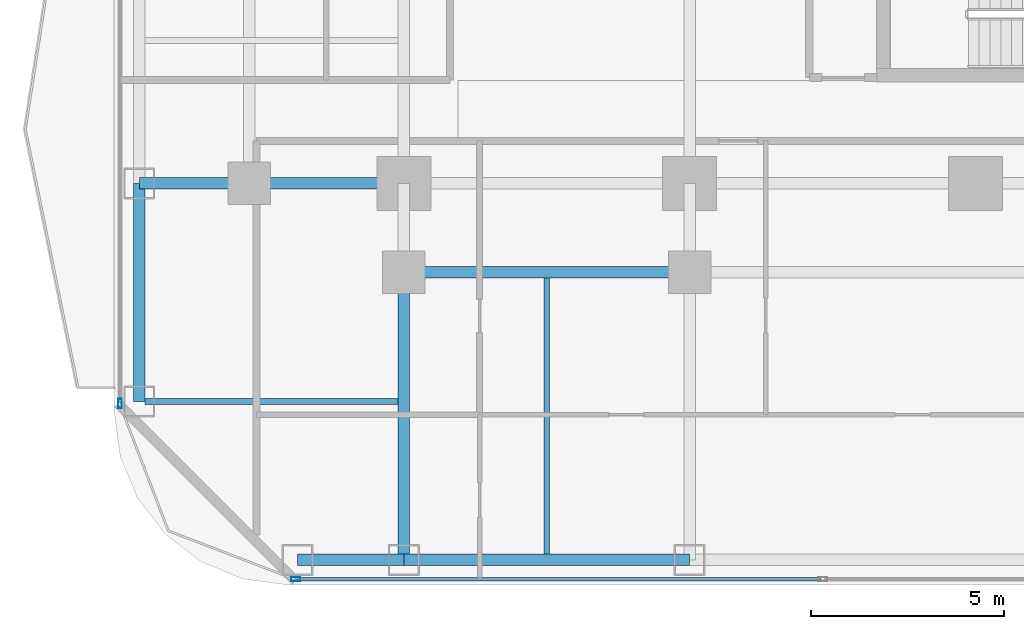
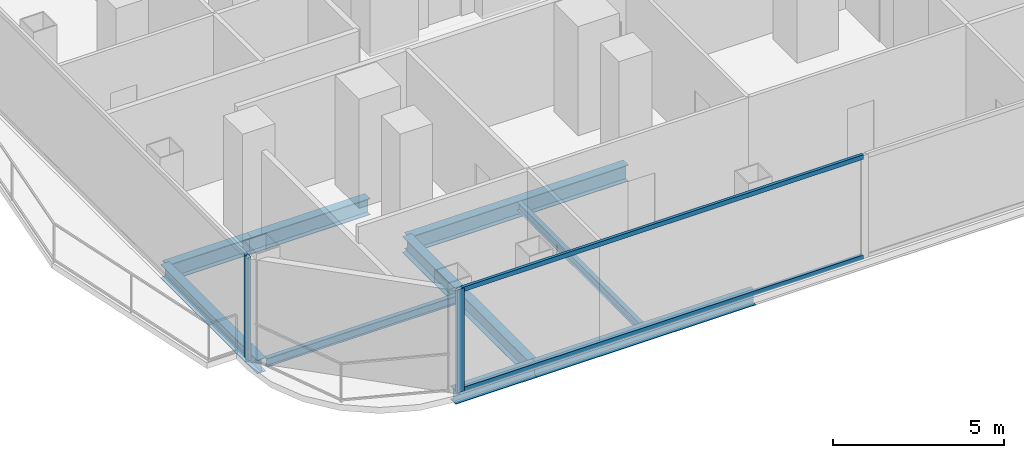
# One storey, part 2 of 27: 9 beams, 4 members, 2 elements without a shape of their own.
"""IFC4 building model written with IfcOpenShell, lengths in metres."""

from ifc_helpers import new_model, si_unit, direction, frame, origin, origin_2d, place, context, subcontext, project, spatial, hollow_rectangle, i_section, extrude, material, layer, layer_set, material_profile, profile_set, type_object, element, aggregate, save


model = new_model("IFC4")

# Units and contexts
model_context = context("Model", 3, precision=1e-05, world=origin(), true_north=direction((0.0, 1.0)))
body_context = subcontext(model_context, "Body", "Model", "MODEL_VIEW")
ifc_project = project(units=[si_unit("LENGTHUNIT", "METRE"), si_unit("AREAUNIT", "SQUARE_METRE"), si_unit("VOLUMEUNIT", "CUBIC_METRE"), si_unit("PLANEANGLEUNIT", "RADIAN"), si_unit("MASSUNIT", "GRAM", prefix="KILO")], contexts=[model_context])

# Site, building, storey
site_placement = place(None, origin())
site = spatial("IfcSite", under=ifc_project, at=site_placement, CompositionType="ELEMENT")
building_placement = place(site_placement, origin())
building = spatial("IfcBuilding", under=site, at=building_placement, Name="Khorvyn Point Tower", CompositionType="ELEMENT")
storey_placement = place(building_placement, frame((0.0, 0.0, 42.300048828125)))
storey = spatial("IfcBuildingStorey", under=building, at=storey_placement, Name="L11", CompositionType="ELEMENT", Elevation=42.300048828125)

# Curtain wall, member
ifc_material_1 = material(Name="Anodised aluminium 6063-T6 and laminated Low-E glass", Category="aluminium")
ifc_layer = layer(ifc_material_1, 0.18994140625)
ifc_layer_set = layer_set([ifc_layer], Name="Stick-Built Finned Residential Curtain Wall CW-SYS-02")
curtain_wall_type = type_object("IfcCurtainWallType", Name="Stick-Built Finned Residential Curtain Wall CW-SYS-02", PredefinedType="NOTDEFINED", material=ifc_layer_set)
curtain_wall_1_placement = place(storey_placement, origin())
curtain_wall_1 = element("IfcCurtainWall", 1, at=curtain_wall_1_placement, inside=storey, type_object=curtain_wall_type, Name="Curtain Wall", PredefinedType="NOTDEFINED")
ifc_material_2 = material(Name="Anodised aluminium 6063-T6", Category="aluminium")
ifc_material_profile_1 = material_profile(ifc_material_2, hollow_rectangle(XDim=0.10009765625, YDim=0.239990234375, WallThickness=0.0048828125, at=origin_2d()))
ifc_profile_set_1 = profile_set([ifc_material_profile_1], Name="Anodised aluminium 6063-T6 ALU-MUL-100x240")
member_type_1 = type_object("IfcMemberType", Name="Anodised Aluminium 6063-T6 Mullion ALU-MUL-100x240", PredefinedType="MULLION", material=ifc_profile_set_1)
member_1_placement = place(storey_placement, frame((-17.60009765625, -25.050048828125, 0.0), z_axis=(0.0, 0.0, 1.0), x_axis=(0.0, -1.0, 0.0)))
member_1 = element("IfcMember", 2, at=member_1_placement, type_object=member_type_1, Name="Transom", PredefinedType="MULLION", context=body_context, shape_type="SweptSolid", body=[
    extrude(hollow_rectangle(XDim=0.10009765625, YDim=0.239990234375, WallThickness=0.0048828125, at=origin_2d()), origin(), (0.0, 0.0, 1.0), 3.679931640625),
])

curtain_wall_2_placement = place(storey_placement, origin())
curtain_wall_2 = element("IfcCurtainWall", 3, at=curtain_wall_2_placement, inside=storey, type_object=curtain_wall_type, Name="Curtain Wall", PredefinedType="NOTDEFINED")
member_2_placement = place(storey_placement, frame((-22.14990234375, -20.5, 0.0), z_axis=(0.0, 0.0, 1.0), x_axis=(-1.0, 0.0, 0.0)))
member_2 = element("IfcMember", 4, at=member_2_placement, type_object=member_type_1, Name="Transom", PredefinedType="MULLION", context=body_context, shape_type="SweptSolid", body=[
    extrude(hollow_rectangle(XDim=0.10009765625, YDim=0.239990234375, WallThickness=0.0048828125, at=origin_2d()), origin(), (0.0, 0.0, 1.0), 3.679931640625),
])
aggregate(curtain_wall_2, [member_2])

# Member
ifc_material_profile_2 = material_profile(ifc_material_2, hollow_rectangle(XDim=0.10009765625, YDim=0.159912109375, WallThickness=0.00439453125, at=origin_2d()))
ifc_profile_set_2 = profile_set([ifc_material_profile_2], Name="Anodised aluminium 6063-T6 ALU-TRN-100x160")
member_type_2 = type_object("IfcMemberType", Name="Anodised Aluminium 6063-T6 Transom ALU-TRN-100x160", PredefinedType="USERDEFINED", material=ifc_profile_set_2)
member_3_placement = place(storey_placement, frame((-4.0, -25.050048828125, 0.050048828125), z_axis=(-1.0, 0.0, 0.0), x_axis=(0.0, -1.0, 0.0)))
member_3 = element("IfcMember", 5, at=member_3_placement, type_object=member_type_2, Name="Transom", ObjectType="TRANSOM", PredefinedType="USERDEFINED", context=body_context, shape_type="SweptSolid", body=[
    extrude(hollow_rectangle(XDim=0.10009765625, YDim=0.159912109375, WallThickness=0.00439453125, at=origin_2d()), origin(), (0.0, 0.0, 1.0), 13.550048828125),
])

member_4_placement = place(storey_placement, frame((-4.0, -25.050048828125, 3.6298828125), z_axis=(-1.0, 0.0, 0.0), x_axis=(0.0, -1.0, 0.0)))
member_4 = element("IfcMember", 6, at=member_4_placement, type_object=member_type_2, Name="Transom", ObjectType="TRANSOM", PredefinedType="USERDEFINED", context=body_context, shape_type="SweptSolid", body=[
    extrude(hollow_rectangle(XDim=0.10009765625, YDim=0.159912109375, WallThickness=0.00439453125, at=origin_2d()), origin(), (0.0, 0.0, 1.0), 13.550048828125),
])

aggregate(curtain_wall_1, [member_1, member_3, member_4])

# Beams
ifc_material_3 = material(Name="Steel S355", Category="steel")
ifc_material_profile_3 = material_profile(ifc_material_3, i_section(OverallWidth=0.300048828125, OverallDepth=0.587890625, WebThickness=0.011962890625, FlangeThickness=0.02001953125, at=origin_2d()))
ifc_profile_set_3 = profile_set([ifc_material_profile_3], Name="Steel S355 H588x300x12x20")
beam_type_1 = type_object("IfcBeamType", Name="Steel S355 Beam H588x300x12x20", PredefinedType="BEAM", material=ifc_profile_set_3)
beam_1_placement = place(storey_placement, frame((-21.64990234375, -14.800048828125, -0.51416015625), z_axis=(1.0, 0.0, 0.0), x_axis=(0.0, 1.0, 0.0)))
element("IfcBeam", 7, at=beam_1_placement, inside=storey, type_object=beam_type_1, Name="Beam", PredefinedType="BEAM", context=body_context, shape_type="SweptSolid", body=[
    extrude(i_section(OverallWidth=0.300048828125, OverallDepth=0.587890625, WebThickness=0.011962890625, FlangeThickness=0.02001953125, at=origin_2d()), origin(), (0.0, 0.0, 1.0), 2.849853515625),
])
beam_2_placement = place(storey_placement, frame((-18.800048828125, -14.800048828125, -0.51416015625), z_axis=(1.0, 0.0, 0.0), x_axis=(0.0, 1.0, 0.0)))
element("IfcBeam", 8, at=beam_2_placement, inside=storey, type_object=beam_type_1, Name="Beam", PredefinedType="BEAM", context=body_context, shape_type="SweptSolid", body=[
    extrude(i_section(OverallWidth=0.300048828125, OverallDepth=0.587890625, WebThickness=0.011962890625, FlangeThickness=0.02001953125, at=origin_2d()), origin(), (0.0, 0.0, 1.0), 4.0),
])
beam_3_placement = place(storey_placement, frame((-14.800048828125, -17.10009765625, -0.51416015625), z_axis=(1.0, 0.0, 0.0), x_axis=(0.0, 1.0, 0.0)))
element("IfcBeam", 9, at=beam_3_placement, inside=storey, type_object=beam_type_1, Name="Beam", PredefinedType="BEAM", context=body_context, shape_type="SweptSolid", body=[
    extrude(i_section(OverallWidth=0.300048828125, OverallDepth=0.587890625, WebThickness=0.011962890625, FlangeThickness=0.02001953125, at=origin_2d()), origin(), (0.0, 0.0, 1.0), 7.400146484375),
])
beam_4_placement = place(storey_placement, frame((-14.800048828125, -24.550048828125, -0.51416015625), z_axis=(0.0, 1.0, 0.0), x_axis=(-1.0, 0.0, 0.0)))
element("IfcBeam", 10, at=beam_4_placement, inside=storey, type_object=beam_type_1, Name="Beam", PredefinedType="BEAM", context=body_context, shape_type="SweptSolid", body=[
    extrude(i_section(OverallWidth=0.300048828125, OverallDepth=0.587890625, WebThickness=0.011962890625, FlangeThickness=0.02001953125, at=origin_2d()), origin(), (0.0, 0.0, 1.0), 7.449951171875),
])
ifc_material_profile_4 = material_profile(ifc_material_3, i_section(OverallWidth=0.14990234375, OverallDepth=0.300048828125, WebThickness=0.006591796875, FlangeThickness=0.009033203125, at=origin_2d()))
ifc_profile_set_4 = profile_set([ifc_material_profile_4], Name="Steel S355 H300x150x6.5x9")
beam_type_2 = type_object("IfcBeamType", Name="Steel S355 Joist H300x150x6.5x9", PredefinedType="JOIST", material=ifc_profile_set_4)
beam_5_placement = place(storey_placement, frame((-11.10009765625, -24.39990234375, -0.3701171875), z_axis=(0.0, 1.0, 0.0), x_axis=(-1.0, 0.0, 0.0)))
element("IfcBeam", 11, at=beam_5_placement, inside=storey, type_object=beam_type_2, Name="Beam", PredefinedType="JOIST", context=body_context, shape_type="SweptSolid", body=[
    extrude(i_section(OverallWidth=0.14990234375, OverallDepth=0.300048828125, WebThickness=0.006591796875, FlangeThickness=0.009033203125, at=origin_2d()), origin(), (0.0, 0.0, 1.0), 7.14990234375),
])
beam_6_placement = place(storey_placement, frame((-21.5, -20.449951171875, -0.3701171875), z_axis=(1.0, 0.0, 0.0), x_axis=(0.0, 1.0, 0.0)))
element("IfcBeam", 12, at=beam_6_placement, inside=storey, type_object=beam_type_2, Name="Beam", PredefinedType="JOIST", context=body_context, shape_type="SweptSolid", body=[
    extrude(i_section(OverallWidth=0.14990234375, OverallDepth=0.300048828125, WebThickness=0.006591796875, FlangeThickness=0.009033203125, at=origin_2d()), origin(), (0.0, 0.0, 1.0), 6.550048828125),
])
ifc_material_profile_5 = material_profile(ifc_material_3, i_section(OverallWidth=0.300048828125, OverallDepth=0.488037109375, WebThickness=0.010986328125, FlangeThickness=0.01806640625, at=origin_2d()))
ifc_profile_set_5 = profile_set([ifc_material_profile_5], Name="Steel S355 H488x300x11x18")
beam_type_3 = type_object("IfcBeamType", Name="Steel S355 Spandrel H488x300x11x18", PredefinedType="SPANDREL", material=ifc_profile_set_5)
beam_7_placement = place(storey_placement, frame((-17.550048828125, -24.550048828125, -0.464111328125), z_axis=(1.0, 0.0, 0.0), x_axis=(0.0, 1.0, 0.0)))
element("IfcBeam", 13, at=beam_7_placement, inside=storey, type_object=beam_type_3, Name="Beam", PredefinedType="SPANDREL", context=body_context, shape_type="SweptSolid", body=[
    extrude(i_section(OverallWidth=0.300048828125, OverallDepth=0.488037109375, WebThickness=0.010986328125, FlangeThickness=0.01806640625, at=origin_2d()), origin(), (0.0, 0.0, 1.0), 2.75),
])
beam_8_placement = place(storey_placement, frame((-14.800048828125, -24.550048828125, -0.464111328125), z_axis=(1.0, 0.0, 0.0), x_axis=(0.0, 1.0, 0.0)))
element("IfcBeam", 14, at=beam_8_placement, inside=storey, type_object=beam_type_3, Name="Beam", PredefinedType="SPANDREL", context=body_context, shape_type="SweptSolid", body=[
    extrude(i_section(OverallWidth=0.300048828125, OverallDepth=0.488037109375, WebThickness=0.010986328125, FlangeThickness=0.01806640625, at=origin_2d()), origin(), (0.0, 0.0, 1.0), 7.400146484375),
])
beam_9_placement = place(storey_placement, frame((-21.64990234375, -20.449951171875, -0.464111328125), z_axis=(0.0, 1.0, 0.0), x_axis=(-1.0, 0.0, 0.0)))
element("IfcBeam", 15, at=beam_9_placement, inside=storey, type_object=beam_type_3, Name="Beam", PredefinedType="SPANDREL", context=body_context, shape_type="SweptSolid", body=[
    extrude(i_section(OverallWidth=0.300048828125, OverallDepth=0.488037109375, WebThickness=0.010986328125, FlangeThickness=0.01806640625, at=origin_2d()), origin(), (0.0, 0.0, 1.0), 5.64990234375),
])

save(model, "model.ifc")
